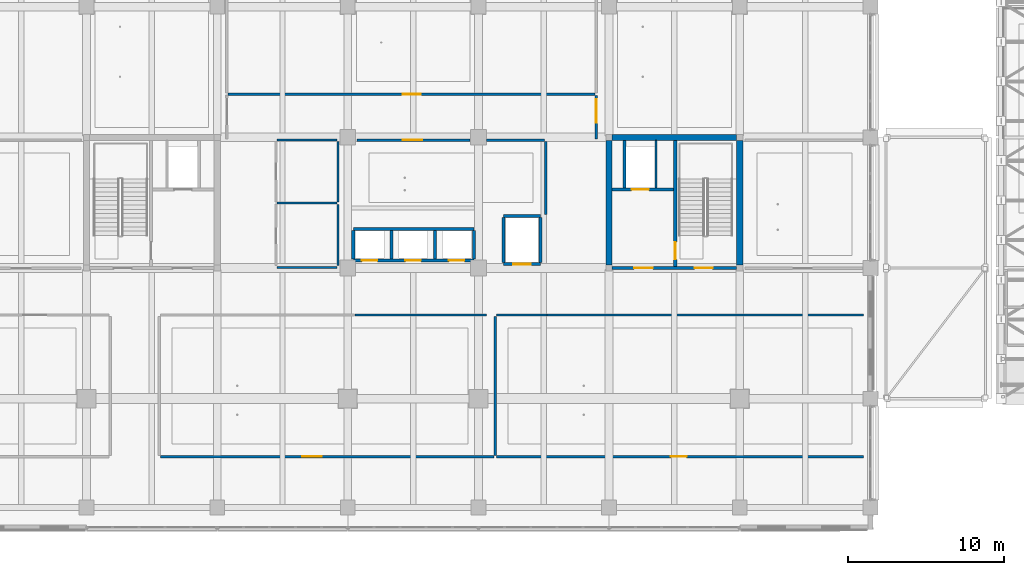
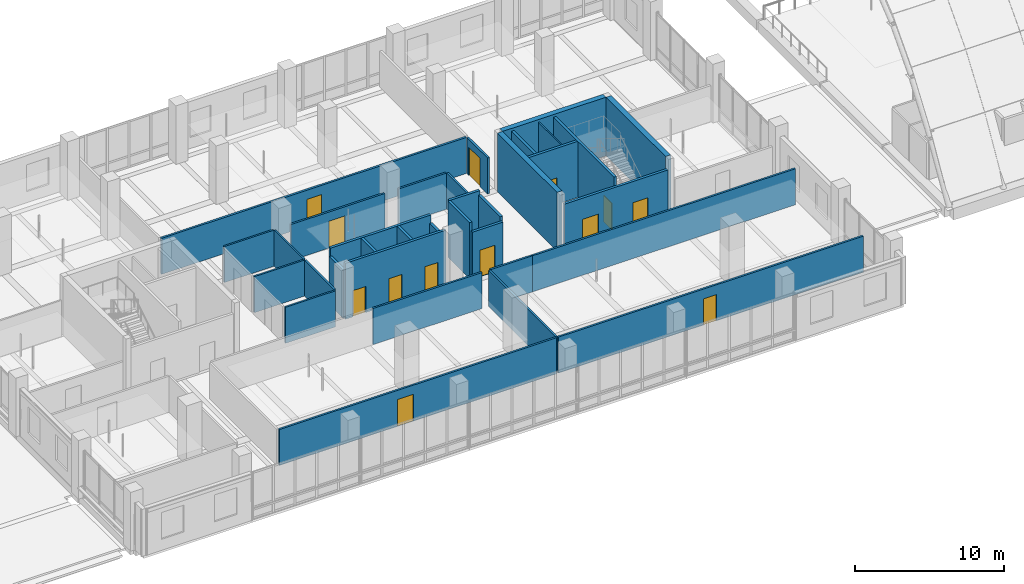
# One storey, part 55 of 128: 34 walls, 13 doors, 13 openings.
"""IFC4 building model written with IfcOpenShell, lengths in metres."""

from ifc_helpers import new_model, si_unit, direction, frame, frame_2d, origin, place, context, subcontext, project, spatial, rectangle, extrude, material, layer, layer_set, type_object, element, fill, save


model = new_model("IFC4")

# Units and contexts
model_context = context("Model", 3, precision=1e-05, world=origin(), true_north=direction((0.0, 1.0)))
body_context = subcontext(model_context, "Body", "Model", "MODEL_VIEW")
ifc_project = project(units=[si_unit("LENGTHUNIT", "METRE"), si_unit("AREAUNIT", "SQUARE_METRE"), si_unit("VOLUMEUNIT", "CUBIC_METRE"), si_unit("PLANEANGLEUNIT", "RADIAN"), si_unit("MASSUNIT", "GRAM", prefix="KILO")], contexts=[model_context])

# Site, building, storey
site_placement = place(None, origin())
site = spatial("IfcSite", under=ifc_project, at=site_placement, CompositionType="ELEMENT")
building_placement = place(site_placement, origin())
building = spatial("IfcBuilding", under=site, at=building_placement, Name="Telukmera Botanical Conservatory", CompositionType="ELEMENT")
storey_placement = place(building_placement, frame((0.0, 0.0, 5.39990234375)))
storey = spatial("IfcBuildingStorey", under=building, at=storey_placement, Name="L01", CompositionType="ELEMENT", Elevation=5.39990234375)

# Wall, openings, doors
ifc_material_1 = material(Name="Concrete C40/50", Category="concrete")
ifc_layer_1 = layer(ifc_material_1, 0.199951171875)
ifc_layer_set_1 = layer_set([ifc_layer_1], Name="Concrete C40/50")
wall_type_1 = type_object("IfcWallType", Name="WT-CORE-200", PredefinedType="SOLIDWALL", material=ifc_layer_set_1)
wall_1_placement = place(storey_placement, frame((92.60009765625, 26.0, 0.0), z_axis=(0.0, 0.0, 1.0), x_axis=(1.0, 0.0, 0.0)))
wall_1 = element("IfcWall", 1, at=wall_1_placement, inside=storey, type_object=wall_type_1, Name="L01 Core C2 South Fire Wall", PredefinedType="SOLIDWALL", context=body_context, shape_type="SweptSolid", body=[
    extrude(rectangle(XDim=8.0, YDim=0.199951171875, at=frame_2d((4.0, 0.0))), origin(), (0.0, 0.0, 1.0), 3.880126953125),
])
opening_1_placement = place(wall_1_placement, frame((1.39990234375, 0.0, 0.0)))
opening_1 = element("IfcOpeningElement", 2, at=opening_1_placement, cuts=wall_1, Name="Opening FD60C", PredefinedType="OPENING", context=body_context, shape_type="SweptSolid", body=[
    extrude(rectangle(XDim=1.219970703125, YDim=2.14990234375, at=frame_2d((0.60986328125, 1.074951171875))), frame((0.0, 0.10986328125, 0.0), z_axis=(0.0, -1.0, 0.0), x_axis=(1.0, 0.0, 0.0)), (0.0, 0.0, 1.0), 0.219970703125),
])
opening_2_placement = place(wall_1_placement, frame((5.300048828125, 0.0, 0.0)))
opening_2 = element("IfcOpeningElement", 3, at=opening_2_placement, cuts=wall_1, Name="Opening FD60A", PredefinedType="OPENING", context=body_context, shape_type="SweptSolid", body=[
    extrude(rectangle(XDim=1.14990234375, YDim=2.14990234375, at=frame_2d((0.574951171875, 1.074951171875))), frame((0.0, 0.10986328125, 0.0), z_axis=(0.0, -1.0, 0.0), x_axis=(1.0, 0.0, 0.0)), (0.0, 0.0, 1.0), 0.219970703125),
])
ifc_material_2 = material(Name="Hardwood fire door", Category="wood")
door_type_1 = type_object("IfcDoorType", Name="DT-FD60-01", OperationType="NOTDEFINED", PredefinedType="DOOR", material=ifc_material_2)
door_1_placement = place(opening_2_placement, origin())
door_1 = element("IfcDoor", 4, at=door_1_placement, inside=storey, type_object=door_type_1, Name="L01 Stair ST2 Escape Door", OperationType="SINGLE_SWING_RIGHT", OverallHeight=2.14990234375, OverallWidth=1.14990234375, PredefinedType="DOOR", context=body_context, shape_type="SweptSolid", body=[
    extrude(rectangle(XDim=1.14990234375, YDim=2.14990234375, at=frame_2d((0.574951171875, 1.074951171875))), frame((0.0, 0.02490234375, 0.0), z_axis=(0.0, -1.0, 0.0), x_axis=(1.0, 0.0, 0.0)), (0.0, 0.0, 1.0), 0.050048828125),
])
fill(opening_2, door_1)
door_type_2 = type_object("IfcDoorType", Name="DT-FD60-03", OperationType="NOTDEFINED", PredefinedType="DOOR", material=ifc_material_2)
door_2_placement = place(opening_1_placement, origin())
door_2 = element("IfcDoor", 5, at=door_2_placement, inside=storey, type_object=door_type_2, Name="L01 Firefighting Lobby C2 Door", OperationType="SINGLE_SWING_LEFT", OverallHeight=2.14990234375, OverallWidth=1.219970703125, PredefinedType="DOOR", context=body_context, shape_type="SweptSolid", body=[
    extrude(rectangle(XDim=1.219970703125, YDim=2.14990234375, at=frame_2d((0.60986328125, 1.074951171875))), frame((0.0, 0.02490234375, 0.0), z_axis=(0.0, -1.0, 0.0), x_axis=(1.0, 0.0, 0.0)), (0.0, 0.0, 1.0), 0.050048828125),
])
fill(opening_1, door_2)

# Wall, opening, door
wall_2_placement = place(storey_placement, frame((96.64990234375, 26.10009765625, 0.0), z_axis=(0.0, 0.0, 1.0), x_axis=(0.0, 1.0, 0.0)))
wall_2 = element("IfcWall", 6, at=wall_2_placement, inside=storey, type_object=wall_type_1, Name="L01 Core C2 Stair-Lobby Wall", PredefinedType="SOLIDWALL", context=body_context, shape_type="SweptSolid", body=[
    extrude(rectangle(XDim=8.099853515625, YDim=0.199951171875, at=frame_2d((4.0498046875, 0.0))), origin(), (0.0, 0.0, 1.0), 4.580078125),
])
opening_3_placement = place(wall_2_placement, frame((0.449951171875, 0.0, 0.0)))
opening_3 = element("IfcOpeningElement", 7, at=opening_3_placement, cuts=wall_2, Name="Opening FD60B", PredefinedType="OPENING", context=body_context, shape_type="SweptSolid", body=[
    extrude(rectangle(XDim=1.1201171875, YDim=2.14990234375, at=frame_2d((0.56005859375, 1.074951171875))), frame((0.0, 0.10986328125, 0.0), z_axis=(0.0, -1.0, 0.0), x_axis=(1.0, 0.0, 0.0)), (0.0, 0.0, 1.0), 0.219970703125),
])
door_type_3 = type_object("IfcDoorType", Name="DT-FD60-02", OperationType="NOTDEFINED", PredefinedType="DOOR", material=ifc_material_2)
door_3_placement = place(opening_3_placement, frame((1.1201171875, 0.0, 0.0), z_axis=(0.0, 0.0, 1.0), x_axis=(-1.0, 0.0, 0.0)))
door_3 = element("IfcDoor", 8, at=door_3_placement, inside=storey, type_object=door_type_3, Name="L01 Firefighting Lobby C2 to ST2 Door", OperationType="SINGLE_SWING_LEFT", OverallHeight=2.14990234375, OverallWidth=1.1201171875, PredefinedType="DOOR", context=body_context, shape_type="SweptSolid", body=[
    extrude(rectangle(XDim=1.1201171875, YDim=2.14990234375, at=frame_2d((0.56005859375, 1.074951171875))), frame((0.0, 0.02490234375, 0.0), z_axis=(0.0, -1.0, 0.0), x_axis=(1.0, 0.0, 0.0)), (0.0, 0.0, 1.0), 0.050048828125),
])
fill(opening_3, door_3)

wall_3_placement = place(storey_placement, frame((92.60009765625, 31.050048828125, 0.0), z_axis=(0.0, 0.0, 1.0), x_axis=(1.0, 0.0, 0.0)))
wall_3 = element("IfcWall", 9, at=wall_3_placement, inside=storey, type_object=wall_type_1, Name="L01 Fire Lift FL2 Shaft Front Wall", PredefinedType="SOLIDWALL", context=body_context, shape_type="SweptSolid", body=[
    extrude(rectangle(XDim=3.949951171875, YDim=0.199951171875, at=frame_2d((1.97509765625, 0.0))), origin(), (0.0, 0.0, 1.0), 4.580078125),
])
opening_4_placement = place(wall_3_placement, frame((1.25, 0.0, 0.0)))
opening_4 = element("IfcOpeningElement", 10, at=opening_4_placement, cuts=wall_3, Name="Opening LD01", PredefinedType="OPENING", context=body_context, shape_type="SweptSolid", body=[
    extrude(rectangle(XDim=1.10009765625, YDim=2.14990234375, at=frame_2d((0.550048828125, 1.074951171875))), frame((0.0, 0.10986328125, 0.0), z_axis=(0.0, -1.0, 0.0), x_axis=(1.0, 0.0, 0.0)), (0.0, 0.0, 1.0), 0.219970703125),
])
ifc_material_3 = material(Name="Stainless steel 316", Category="steel")
door_type_4 = type_object("IfcDoorType", Name="DT-LD01", OperationType="SLIDING_TO_LEFT", PredefinedType="DOOR", material=ifc_material_3)
door_4_placement = place(opening_4_placement, frame((1.10009765625, 0.0, 0.0), z_axis=(0.0, 0.0, 1.0), x_axis=(-1.0, 0.0, 0.0)))
door_4 = element("IfcDoor", 11, at=door_4_placement, inside=storey, type_object=door_type_4, Name="L01 Lift Landing Door FL2", OperationType="SLIDING_TO_LEFT", OverallHeight=2.14990234375, OverallWidth=1.10009765625, PredefinedType="DOOR", context=body_context, shape_type="SweptSolid", body=[
    extrude(rectangle(XDim=1.10009765625, YDim=2.14990234375, at=frame_2d((0.550048828125, 1.074951171875))), frame((0.0, 0.02490234375, 0.0), z_axis=(0.0, -1.0, 0.0), x_axis=(1.0, 0.0, 0.0)), (0.0, 0.0, 1.0), 0.050048828125),
])
fill(opening_4, door_4)

# Wall
wall_4_placement = place(storey_placement, frame((93.3798828125, 31.14990234375, 0.0), z_axis=(0.0, 0.0, 1.0), x_axis=(0.0, 1.0, 0.0)))
element("IfcWall", 12, at=wall_4_placement, inside=storey, type_object=wall_type_1, Name="L01 Fire Lift FL2 Shaft West Wall", PredefinedType="SOLIDWALL", context=body_context, shape_type="SweptSolid", body=[
    extrude(rectangle(XDim=3.050048828125, YDim=0.199951171875, at=frame_2d((1.52490234375, 0.0))), origin(), (0.0, 0.0, 1.0), 4.580078125),
])

# Wall, openings, doors
wall_5_placement = place(storey_placement, frame((75.949951171875, 26.47998046875, 0.0), z_axis=(0.0, 0.0, 1.0), x_axis=(1.0, 0.0, 0.0)))
wall_5 = element("IfcWall", 13, at=wall_5_placement, inside=storey, type_object=wall_type_1, Name="L01 Passenger Lift Bank Front Wall", PredefinedType="SOLIDWALL", context=body_context, shape_type="SweptSolid", body=[
    extrude(rectangle(XDim=7.77001953125, YDim=0.199951171875, at=frame_2d((3.885009765625, 0.0))), origin(), (0.0, 0.0, 1.0), 4.580078125),
])
opening_5_placement = place(wall_5_placement, frame((0.550048828125, 0.0, 0.0)))
opening_5 = element("IfcOpeningElement", 14, at=opening_5_placement, cuts=wall_5, Name="Opening LD03", PredefinedType="OPENING", context=body_context, shape_type="SweptSolid", body=[
    extrude(rectangle(XDim=1.0, YDim=2.14990234375, at=frame_2d((0.5, 1.074951171875))), frame((0.0, 0.10986328125, 0.0), z_axis=(0.0, -1.0, 0.0), x_axis=(1.0, 0.0, 0.0)), (0.0, 0.0, 1.0), 0.219970703125),
])
opening_6_placement = place(wall_5_placement, frame((3.35009765625, 0.0, 0.0)))
opening_6 = element("IfcOpeningElement", 15, at=opening_6_placement, cuts=wall_5, Name="Opening LD03", PredefinedType="OPENING", context=body_context, shape_type="SweptSolid", body=[
    extrude(rectangle(XDim=1.0, YDim=2.14990234375, at=frame_2d((0.5, 1.074951171875))), frame((0.0, 0.10986328125, 0.0), z_axis=(0.0, -1.0, 0.0), x_axis=(1.0, 0.0, 0.0)), (0.0, 0.0, 1.0), 0.219970703125),
])
opening_7_placement = place(wall_5_placement, frame((6.14990234375, 0.0, 0.0)))
opening_7 = element("IfcOpeningElement", 16, at=opening_7_placement, cuts=wall_5, Name="Opening LD03", PredefinedType="OPENING", context=body_context, shape_type="SweptSolid", body=[
    extrude(rectangle(XDim=1.0, YDim=2.14990234375, at=frame_2d((0.5, 1.074951171875))), frame((0.0, 0.10986328125, 0.0), z_axis=(0.0, -1.0, 0.0), x_axis=(1.0, 0.0, 0.0)), (0.0, 0.0, 1.0), 0.219970703125),
])
door_type_5 = type_object("IfcDoorType", Name="DT-LD03", OperationType="SLIDING_TO_LEFT", PredefinedType="DOOR", material=ifc_material_3)
door_5_placement = place(opening_5_placement, frame((1.0, 0.0, 0.0), z_axis=(0.0, 0.0, 1.0), x_axis=(-1.0, 0.0, 0.0)))
door_5 = element("IfcDoor", 17, at=door_5_placement, inside=storey, type_object=door_type_5, Name="L01 Lift Landing Door PL1", OperationType="SLIDING_TO_LEFT", OverallHeight=2.14990234375, OverallWidth=1.0, PredefinedType="DOOR", context=body_context, shape_type="SweptSolid", body=[
    extrude(rectangle(XDim=1.0, YDim=2.14990234375, at=frame_2d((0.5, 1.074951171875))), frame((0.0, 0.02490234375, 0.0), z_axis=(0.0, -1.0, 0.0), x_axis=(1.0, 0.0, 0.0)), (0.0, 0.0, 1.0), 0.050048828125),
])
fill(opening_5, door_5)
door_6_placement = place(opening_6_placement, frame((1.0, 0.0, 0.0), z_axis=(0.0, 0.0, 1.0), x_axis=(-1.0, 0.0, 0.0)))
door_6 = element("IfcDoor", 18, at=door_6_placement, inside=storey, type_object=door_type_5, Name="L01 Lift Landing Door PL2", OperationType="SLIDING_TO_LEFT", OverallHeight=2.14990234375, OverallWidth=1.0, PredefinedType="DOOR", context=body_context, shape_type="SweptSolid", body=[
    extrude(rectangle(XDim=1.0, YDim=2.14990234375, at=frame_2d((0.5, 1.074951171875))), frame((0.0, 0.02490234375, 0.0), z_axis=(0.0, -1.0, 0.0), x_axis=(1.0, 0.0, 0.0)), (0.0, 0.0, 1.0), 0.050048828125),
])
fill(opening_6, door_6)
door_7_placement = place(opening_7_placement, frame((1.0, 0.0, 0.0), z_axis=(0.0, 0.0, 1.0), x_axis=(-1.0, 0.0, 0.0)))
door_7 = element("IfcDoor", 19, at=door_7_placement, inside=storey, type_object=door_type_5, Name="L01 Lift Landing Door PL3", OperationType="SLIDING_TO_LEFT", OverallHeight=2.14990234375, OverallWidth=1.0, PredefinedType="DOOR", context=body_context, shape_type="SweptSolid", body=[
    extrude(rectangle(XDim=1.0, YDim=2.14990234375, at=frame_2d((0.5, 1.074951171875))), frame((0.0, 0.02490234375, 0.0), z_axis=(0.0, -1.0, 0.0), x_axis=(1.0, 0.0, 0.0)), (0.0, 0.0, 1.0), 0.050048828125),
])
fill(opening_7, door_7)

# Walls
wall_6_placement = place(storey_placement, frame((75.949951171875, 28.52001953125, 0.0), z_axis=(0.0, 0.0, 1.0), x_axis=(1.0, 0.0, 0.0)))
element("IfcWall", 20, at=wall_6_placement, inside=storey, type_object=wall_type_1, Name="L01 Passenger Lift Bank Rear Wall", PredefinedType="SOLIDWALL", context=body_context, shape_type="SweptSolid", body=[
    extrude(rectangle(XDim=7.77001953125, YDim=0.199951171875, at=frame_2d((3.885009765625, 0.0))), origin(), (0.0, 0.0, 1.0), 4.580078125),
])
wall_7_placement = place(storey_placement, frame((75.949951171875, 26.580078125, 0.0), z_axis=(0.0, 0.0, 1.0), x_axis=(0.0, 1.0, 0.0)))
element("IfcWall", 21, at=wall_7_placement, inside=storey, type_object=wall_type_1, Name="L01 Passenger Lift Shaft Wall 1", PredefinedType="SOLIDWALL", context=body_context, shape_type="SweptSolid", body=[
    extrude(rectangle(XDim=1.83984375, YDim=0.199951171875, at=frame_2d((0.919921875, 0.0))), origin(), (0.0, 0.0, 1.0), 3.93017578125),
])
for number, where, z_axis, x_axis, name in (
    (22, (78.39990234375, 26.580078125, 0.0), (0.0, 0.0, 1.0), (0.0, 1.0, 0.0), "L01 Passenger Lift Shaft Wall 2"),
    (23, (81.199951171875, 26.580078125, 0.0), (0.0, 0.0, 1.0), (0.0, 1.0, 0.0), "L01 Passenger Lift Shaft Wall 3"),
):
    element("IfcWall", number, at=place(storey_placement, frame(where, z_axis=z_axis, x_axis=x_axis)), inside=storey, type_object=wall_type_1, Name=name, PredefinedType="SOLIDWALL", context=body_context, shape_type="SweptSolid", body=[
        extrude(rectangle(XDim=1.83984375, YDim=0.199951171875, at=frame_2d((0.919921875, 0.0))), origin(), (0.0, 0.0, 1.0), 4.580078125),
    ])
wall_8_placement = place(storey_placement, frame((83.719970703125, 26.580078125, 0.0), z_axis=(0.0, 0.0, 1.0), x_axis=(0.0, 1.0, 0.0)))
element("IfcWall", 24, at=wall_8_placement, inside=storey, type_object=wall_type_1, Name="L01 Passenger Lift Shaft Wall 4", PredefinedType="SOLIDWALL", context=body_context, shape_type="SweptSolid", body=[
    extrude(rectangle(XDim=1.83984375, YDim=0.199951171875, at=frame_2d((0.919921875, 0.0))), origin(), (0.0, 0.0, 1.0), 3.93017578125),
])

# Wall, opening, door
wall_9_placement = place(storey_placement, frame((85.6201171875, 26.25, 0.0), z_axis=(0.0, 0.0, 1.0), x_axis=(1.0, 0.0, 0.0)))
wall_9 = element("IfcWall", 25, at=wall_9_placement, inside=storey, type_object=wall_type_1, Name="L01 Goods Lift GL1 Front Wall", PredefinedType="SOLIDWALL", context=body_context, shape_type="SweptSolid", body=[
    extrude(rectangle(XDim=2.35986328125, YDim=0.199951171875, at=frame_2d((1.179931640625, 0.0))), origin(), (0.0, 0.0, 1.0), 3.880126953125),
])
opening_8_placement = place(wall_9_placement, frame((0.60498046875, 0.0, 0.0)))
opening_8 = element("IfcOpeningElement", 26, at=opening_8_placement, cuts=wall_9, Name="Opening LD02", PredefinedType="OPENING", context=body_context, shape_type="SweptSolid", body=[
    extrude(rectangle(XDim=1.14990234375, YDim=2.199951171875, at=frame_2d((0.574951171875, 1.10009765625))), frame((0.0, 0.10986328125, 0.0), z_axis=(0.0, -1.0, 0.0), x_axis=(1.0, 0.0, 0.0)), (0.0, 0.0, 1.0), 0.219970703125),
])
door_type_6 = type_object("IfcDoorType", Name="DT-LD02", OperationType="SLIDING_TO_LEFT", PredefinedType="DOOR", material=ifc_material_3)
door_8_placement = place(opening_8_placement, frame((1.14990234375, 0.0, 0.0), z_axis=(0.0, 0.0, 1.0), x_axis=(-1.0, 0.0, 0.0)))
door_8 = element("IfcDoor", 27, at=door_8_placement, inside=storey, type_object=door_type_6, Name="L01 Lift Landing Door GL1", OperationType="SLIDING_TO_LEFT", OverallHeight=2.199951171875, OverallWidth=1.14990234375, PredefinedType="DOOR", context=body_context, shape_type="SweptSolid", body=[
    extrude(rectangle(XDim=1.14990234375, YDim=2.199951171875, at=frame_2d((0.574951171875, 1.10009765625))), frame((0.0, 0.02490234375, 0.0), z_axis=(0.0, -1.0, 0.0), x_axis=(1.0, 0.0, 0.0)), (0.0, 0.0, 1.0), 0.050048828125),
])
fill(opening_8, door_8)

# Walls
wall_10_placement = place(storey_placement, frame((85.6201171875, 29.35009765625, 0.0), z_axis=(0.0, 0.0, 1.0), x_axis=(1.0, 0.0, 0.0)))
element("IfcWall", 28, at=wall_10_placement, inside=storey, type_object=wall_type_1, Name="L01 Goods Lift GL1 Rear Wall", PredefinedType="SOLIDWALL", context=body_context, shape_type="SweptSolid", body=[
    extrude(rectangle(XDim=2.35986328125, YDim=0.199951171875, at=frame_2d((1.179931640625, 0.0))), origin(), (0.0, 0.0, 1.0), 4.580078125),
])
wall_11_placement = place(storey_placement, frame((85.6201171875, 26.35009765625, 0.0), z_axis=(0.0, 0.0, 1.0), x_axis=(0.0, 1.0, 0.0)))
element("IfcWall", 29, at=wall_11_placement, inside=storey, type_object=wall_type_1, Name="L01 Goods Lift GL1 Side Wall 1", PredefinedType="SOLIDWALL", context=body_context, shape_type="SweptSolid", body=[
    extrude(rectangle(XDim=2.89990234375, YDim=0.199951171875, at=frame_2d((1.449951171875, 0.0))), origin(), (0.0, 0.0, 1.0), 4.580078125),
])
wall_12_placement = place(storey_placement, frame((87.97998046875, 26.35009765625, 0.0), z_axis=(0.0, 0.0, 1.0), x_axis=(0.0, 1.0, 0.0)))
element("IfcWall", 30, at=wall_12_placement, inside=storey, type_object=wall_type_1, Name="L01 Goods Lift GL1 Side Wall 2", PredefinedType="SOLIDWALL", context=body_context, shape_type="SweptSolid", body=[
    extrude(rectangle(XDim=2.89990234375, YDim=0.199951171875, at=frame_2d((1.449951171875, 0.0))), origin(), (0.0, 0.0, 1.0), 4.22998046875),
])

# Wall, opening, door
ifc_material_4 = material(Name="Gypsum acoustic stud partition")
ifc_layer_2 = layer(ifc_material_4, 0.159912109375)
ifc_layer_set_2 = layer_set([ifc_layer_2], Name="Gypsum acoustic stud partition")
wall_type_2 = type_object("IfcWallType", Name="WT-LAB-160", PredefinedType="PARTITIONING", material=ifc_layer_set_2)
wall_13_placement = place(storey_placement, frame((67.89990234375, 37.175048828125, 0.0), z_axis=(0.0, 0.0, 1.0), x_axis=(1.0, 0.0, 0.0)))
wall_13 = element("IfcWall", 31, at=wall_13_placement, inside=storey, type_object=wall_type_2, Name="L01 Interior Partition 61", PredefinedType="PARTITIONING", context=body_context, shape_type="SweptSolid", body=[
    extrude(rectangle(XDim=23.60009765625, YDim=0.159912109375, at=frame_2d((11.800048828125, 0.0))), origin(), (0.0, 0.0, 1.0), 2.9501953125),
])
opening_9_placement = place(wall_13_placement, frame((11.219970703125, 0.0, 0.0)))
opening_9 = element("IfcOpeningElement", 32, at=opening_9_placement, cuts=wall_13, Name="Opening ID09", PredefinedType="OPENING", context=body_context, shape_type="SweptSolid", body=[
    extrude(rectangle(XDim=1.159912109375, YDim=2.199951171875, at=frame_2d((0.580078125, 1.10009765625))), frame((0.0, 0.08984375, 0.0), z_axis=(0.0, -1.0, 0.0), x_axis=(1.0, 0.0, 0.0)), (0.0, 0.0, 1.0), 0.179931640625),
])
ifc_material_5 = material(Name="Phenolic faced laboratory fire door")
door_type_7 = type_object("IfcDoorType", Name="DT-LAB-116", OperationType="NOTDEFINED", PredefinedType="DOOR", material=ifc_material_5)
door_9_placement = place(opening_9_placement, origin())
door_9 = element("IfcDoor", 33, at=door_9_placement, inside=storey, type_object=door_type_7, Name="L01 Digital Floristics Laboratory Door", OperationType="SINGLE_SWING_RIGHT", OverallHeight=2.199951171875, OverallWidth=1.159912109375, PredefinedType="DOOR", context=body_context, shape_type="SweptSolid", body=[
    extrude(rectangle(XDim=1.159912109375, YDim=2.199951171875, at=frame_2d((0.580078125, 1.10009765625))), frame((0.0, 0.02490234375, 0.0), z_axis=(0.0, -1.0, 0.0), x_axis=(1.0, 0.0, 0.0)), (0.0, 0.0, 1.0), 0.050048828125),
])
fill(opening_9, door_9)

# Walls
ifc_material_6 = material(Name="Gypsum shaftwall liner")
ifc_layer_3 = layer(ifc_material_6, 0.110107421875)
ifc_layer_set_3 = layer_set([ifc_layer_3], Name="Gypsum shaftwall liner")
wall_type_3 = type_object("IfcWallType", Name="WT-RISER-110", PredefinedType="PARTITIONING", material=ifc_layer_set_3)
wall_14_placement = place(storey_placement, frame((95.419921875, 31.14990234375, 0.0), z_axis=(0.0, 0.0, 1.0), x_axis=(0.0, 1.0, 0.0)))
element("IfcWall", 34, at=wall_14_placement, inside=storey, type_object=wall_type_3, Name="L01 Wet Riser C2 Shaft Wall", PredefinedType="PARTITIONING", context=body_context, shape_type="SweptSolid", body=[
    extrude(rectangle(XDim=3.050048828125, YDim=0.110107421875, at=frame_2d((1.52490234375, 0.0))), origin(), (0.0, 0.0, 1.0), 4.580078125),
])
ifc_layer_4 = layer(ifc_material_4, 0.14990234375)
ifc_layer_set_4 = layer_set([ifc_layer_4], Name="Gypsum acoustic stud partition")
wall_type_4 = type_object("IfcWallType", Name="WT-STD-150", PredefinedType="PARTITIONING", material=ifc_layer_set_4)
wall_15_placement = place(storey_placement, frame((88.324951171875, 29.449951171875, 0.0), z_axis=(0.0, 0.0, 1.0), x_axis=(0.0, 1.0, 0.0)))
element("IfcWall", 35, at=wall_15_placement, inside=storey, type_object=wall_type_4, Name="L01 Interior Partition 42", PredefinedType="PARTITIONING", context=body_context, shape_type="SweptSolid", body=[
    extrude(rectangle(XDim=4.699951171875, YDim=0.14990234375, at=frame_2d((2.35009765625, 0.0))), origin(), (0.0, 0.0, 1.0), 2.9501953125),
])

# Wall, opening, door
wall_16_placement = place(storey_placement, frame((76.199951171875, 34.22509765625, 0.0), z_axis=(0.0, 0.0, 1.0), x_axis=(1.0, 0.0, 0.0)))
wall_16 = element("IfcWall", 36, at=wall_16_placement, inside=storey, type_object=wall_type_4, Name="L01 Interior Partition 43", PredefinedType="PARTITIONING", context=body_context, shape_type="SweptSolid", body=[
    extrude(rectangle(XDim=7.27001953125, YDim=0.14990234375, at=frame_2d((3.635009765625, 0.0))), origin(), (0.0, 0.0, 1.0), 2.9501953125),
])
opening_10_placement = place(wall_16_placement, frame((2.940185546875, 0.0, 0.0)))
opening_10 = element("IfcOpeningElement", 37, at=opening_10_placement, cuts=wall_16, Name="Opening ID08", PredefinedType="OPENING", context=body_context, shape_type="SweptSolid", body=[
    extrude(rectangle(XDim=1.239990234375, YDim=2.199951171875, at=frame_2d((0.6201171875, 1.10009765625))), frame((0.0, 0.0849609375, 0.0), z_axis=(0.0, -1.0, 0.0), x_axis=(1.0, 0.0, 0.0)), (0.0, 0.0, 1.0), 0.169921875),
])
ifc_material_7 = material(Name="Solid core hardwood classroom door", Category="wood")
door_type_8 = type_object("IfcDoorType", Name="DT-CLS-124", OperationType="NOTDEFINED", PredefinedType="DOOR", material=ifc_material_7)
door_10_placement = place(opening_10_placement, frame((1.239990234375, 0.0, 0.0), z_axis=(0.0, 0.0, 1.0), x_axis=(-1.0, 0.0, 0.0)))
door_10 = element("IfcDoor", 38, at=door_10_placement, inside=storey, type_object=door_type_8, Name="L01 Rare Botanical Folio Room Door", OperationType="SINGLE_SWING_LEFT", OverallHeight=2.199951171875, OverallWidth=1.239990234375, PredefinedType="DOOR", context=body_context, shape_type="SweptSolid", body=[
    extrude(rectangle(XDim=1.239990234375, YDim=2.199951171875, at=frame_2d((0.6201171875, 1.10009765625))), frame((0.0, 0.02490234375, 0.0), z_axis=(0.0, -1.0, 0.0), x_axis=(1.0, 0.0, 0.0)), (0.0, 0.0, 1.0), 0.050048828125),
])
fill(opening_10, door_10)

# Walls
wall_17_placement = place(storey_placement, frame((84.530029296875, 34.22509765625, 0.0), z_axis=(0.0, 0.0, 1.0), x_axis=(1.0, 0.0, 0.0)))
element("IfcWall", 39, at=wall_17_placement, inside=storey, type_object=wall_type_4, Name="L01 Interior Partition 44", PredefinedType="PARTITIONING", context=body_context, shape_type="SweptSolid", body=[
    extrude(rectangle(XDim=3.7099609375, YDim=0.14990234375, at=frame_2d((1.85498046875, 0.0))), origin(), (0.0, 0.0, 1.0), 2.9501953125),
])
wall_18_placement = place(storey_placement, frame((76.050048828125, 22.97509765625, 0.0), z_axis=(0.0, 0.0, 1.0), x_axis=(1.0, 0.0, 0.0)))
element("IfcWall", 40, at=wall_18_placement, inside=storey, type_object=wall_type_4, Name="L01 Interior Partition 49", PredefinedType="PARTITIONING", context=body_context, shape_type="SweptSolid", body=[
    extrude(rectangle(XDim=8.449951171875, YDim=0.14990234375, at=frame_2d((4.22509765625, 0.0))), origin(), (0.0, 0.0, 1.0), 2.9501953125),
])
wall_19_placement = place(storey_placement, frame((85.14990234375, 22.97509765625, 0.0), z_axis=(0.0, 0.0, 1.0), x_axis=(1.0, 0.0, 0.0)))
element("IfcWall", 41, at=wall_19_placement, inside=storey, type_object=wall_type_4, Name="L01 Interior Partition 50", PredefinedType="PARTITIONING", context=body_context, shape_type="SweptSolid", body=[
    extrude(rectangle(XDim=3.25, YDim=0.14990234375, at=frame_2d((1.625, 0.0))), origin(), (0.0, 0.0, 1.0), 2.9501953125),
])
wall_20_placement = place(storey_placement, frame((88.409912109375, 22.97509765625, 0.0), z_axis=(0.0, 0.0, 1.0), x_axis=(1.0, 0.0, 0.0)))
element("IfcWall", 42, at=wall_20_placement, inside=storey, type_object=wall_type_4, Name="L01 Interior Partition 53", PredefinedType="PARTITIONING", context=body_context, shape_type="SweptSolid", body=[
    extrude(rectangle(XDim=20.340087890625, YDim=0.14990234375, at=frame_2d((10.169921875, 0.0))), origin(), (0.0, 0.0, 1.0), 2.9501953125),
])

# Wall, opening, door
wall_21_placement = place(storey_placement, frame((63.56005859375, 13.875, 0.0), z_axis=(0.0, 0.0, 1.0), x_axis=(1.0, 0.0, 0.0)))
wall_21 = element("IfcWall", 43, at=wall_21_placement, inside=storey, type_object=wall_type_4, Name="L01 Interior Partition 57", PredefinedType="PARTITIONING", context=body_context, shape_type="SweptSolid", body=[
    extrude(rectangle(XDim=21.43994140625, YDim=0.14990234375, at=frame_2d((10.719970703125, 0.0))), origin(), (0.0, 0.0, 1.0), 2.9501953125),
])
opening_11_placement = place(wall_21_placement, frame((9.12255859375, 0.0, 0.0)))
opening_11 = element("IfcOpeningElement", 44, at=opening_11_placement, cuts=wall_21, Name="Opening ID08", PredefinedType="OPENING", context=body_context, shape_type="SweptSolid", body=[
    extrude(rectangle(XDim=1.239990234375, YDim=2.199951171875, at=frame_2d((0.6201171875, 1.10009765625))), frame((0.0, 0.0849609375, 0.0), z_axis=(0.0, -1.0, 0.0), x_axis=(1.0, 0.0, 0.0)), (0.0, 0.0, 1.0), 0.169921875),
])
door_11_placement = place(opening_11_placement, origin())
door_11 = element("IfcDoor", 45, at=door_11_placement, inside=storey, type_object=door_type_8, Name="L01 Rare Flora Reading Room Door", OperationType="SINGLE_SWING_LEFT", OverallHeight=2.199951171875, OverallWidth=1.239990234375, PredefinedType="DOOR", context=body_context, shape_type="SweptSolid", body=[
    extrude(rectangle(XDim=1.239990234375, YDim=2.199951171875, at=frame_2d((0.6201171875, 1.10009765625))), frame((0.0, 0.02490234375, 0.0), z_axis=(0.0, -1.0, 0.0), x_axis=(1.0, 0.0, 0.0)), (0.0, 0.0, 1.0), 0.050048828125),
])
fill(opening_11, door_11)

wall_22_placement = place(storey_placement, frame((85.14990234375, 13.875, 0.0), z_axis=(0.0, 0.0, 1.0), x_axis=(1.0, 0.0, 0.0)))
wall_22 = element("IfcWall", 46, at=wall_22_placement, inside=storey, type_object=wall_type_4, Name="L01 Interior Partition 58", PredefinedType="PARTITIONING", context=body_context, shape_type="SweptSolid", body=[
    extrude(rectangle(XDim=23.60009765625, YDim=0.14990234375, at=frame_2d((11.800048828125, 0.0))), origin(), (0.0, 0.0, 1.0), 2.9501953125),
])
opening_12_placement = place(wall_22_placement, frame((11.224853515625, 0.0, 0.0)))
opening_12 = element("IfcOpeningElement", 47, at=opening_12_placement, cuts=wall_22, Name="Opening ID14", PredefinedType="OPENING", context=body_context, shape_type="SweptSolid", body=[
    extrude(rectangle(XDim=1.0, YDim=2.14990234375, at=frame_2d((0.5, 1.074951171875))), frame((0.0, 0.0849609375, 0.0), z_axis=(0.0, -1.0, 0.0), x_axis=(1.0, 0.0, 0.0)), (0.0, 0.0, 1.0), 0.169921875),
])
ifc_material_8 = material(Name="Acoustic timber office door", Category="wood")
door_type_9 = type_object("IfcDoorType", Name="DT-WRT-100", OperationType="NOTDEFINED", PredefinedType="DOOR", material=ifc_material_8)
door_12_placement = place(opening_12_placement, origin())
door_12 = element("IfcDoor", 48, at=door_12_placement, inside=storey, type_object=door_type_9, Name="L01 Floristic Archive Reading Studio Door", OperationType="SINGLE_SWING_RIGHT", OverallHeight=2.14990234375, OverallWidth=1.0, PredefinedType="DOOR", context=body_context, shape_type="SweptSolid", body=[
    extrude(rectangle(XDim=1.0, YDim=2.14990234375, at=frame_2d((0.5, 1.074951171875))), frame((0.0, 0.02490234375, 0.0), z_axis=(0.0, -1.0, 0.0), x_axis=(1.0, 0.0, 0.0)), (0.0, 0.0, 1.0), 0.050048828125),
])
fill(opening_12, door_12)

# Wall
wall_23_placement = place(storey_placement, frame((85.074951171875, 13.9599609375, 0.0), z_axis=(0.0, 0.0, 1.0), x_axis=(0.0, 1.0, 0.0)))
element("IfcWall", 49, at=wall_23_placement, inside=storey, type_object=wall_type_4, Name="L01 Interior Partition 59", PredefinedType="PARTITIONING", context=body_context, shape_type="SweptSolid", body=[
    extrude(rectangle(XDim=8.929931640625, YDim=0.14990234375, at=frame_2d((4.46484375, 0.0))), origin(), (0.0, 0.0, 1.0), 2.9501953125),
])

# Wall, opening, door
wall_24_placement = place(storey_placement, frame((91.574951171875, 34.300048828125, 0.0), z_axis=(0.0, 0.0, 1.0), x_axis=(0.0, 1.0, 0.0)))
wall_24 = element("IfcWall", 50, at=wall_24_placement, inside=storey, type_object=wall_type_4, Name="L01 Interior Partition 62", PredefinedType="PARTITIONING", context=body_context, shape_type="SweptSolid", body=[
    extrude(rectangle(XDim=2.784912109375, YDim=0.14990234375, at=frame_2d((1.392578125, 0.0))), origin(), (0.0, 0.0, 1.0), 2.9501953125),
])
opening_13_placement = place(wall_24_placement, frame((1.034912109375, 0.0, 0.0)))
opening_13 = element("IfcOpeningElement", 51, at=opening_13_placement, cuts=wall_24, Name="Opening ID04", PredefinedType="OPENING", context=body_context, shape_type="SweptSolid", body=[
    extrude(rectangle(XDim=1.5, YDim=2.300048828125, at=frame_2d((0.75, 1.14990234375))), frame((0.0, 0.0849609375, 0.0), z_axis=(0.0, -1.0, 0.0), x_axis=(1.0, 0.0, 0.0)), (0.0, 0.0, 1.0), 0.169921875),
])
ifc_material_9 = material(Name="Teak framed acoustic glazed door")
door_type_10 = type_object("IfcDoorType", Name="DT-LIB-150", OperationType="NOTDEFINED", PredefinedType="DOOR", material=ifc_material_9)
door_13_placement = place(opening_13_placement, frame((1.5, 0.0, 0.0), z_axis=(0.0, 0.0, 1.0), x_axis=(-1.0, 0.0, 0.0)))
door_13 = element("IfcDoor", 52, at=door_13_placement, inside=storey, type_object=door_type_10, Name="L01 Library Conservation Studio Door", OperationType="SINGLE_SWING_LEFT", OverallHeight=2.300048828125, OverallWidth=1.5, PredefinedType="DOOR", context=body_context, shape_type="SweptSolid", body=[
    extrude(rectangle(XDim=1.5, YDim=2.300048828125, at=frame_2d((0.75, 1.14990234375))), frame((0.0, 0.02490234375, 0.0), z_axis=(0.0, -1.0, 0.0), x_axis=(1.0, 0.0, 0.0)), (0.0, 0.0, 1.0), 0.050048828125),
])
fill(opening_13, door_13)

# Walls
ifc_material_10 = material(Name="Moisture-resistant blockwork", Category="masonry")
ifc_layer_5 = layer(ifc_material_10, 0.135009765625)
ifc_layer_set_5 = layer_set([ifc_layer_5], Name="Moisture-resistant blockwork")
wall_type_5 = type_object("IfcWallType", Name="WT-WC-135", PredefinedType="PARTITIONING", material=ifc_layer_set_5)
for number, where, z_axis, x_axis, name in (
    (53, (71.050048828125, 30.175048828125, 0.0), (0.0, 0.0, 1.0), (1.0, 0.0, 0.0), "L01 Interior Partition 39"),
    (54, (71.050048828125, 26.02490234375, 0.0), (0.0, 0.0, 1.0), (1.0, 0.0, 0.0), "L01 Interior Partition 40"),
    (55, (71.050048828125, 34.22509765625, 0.0), (0.0, 0.0, 1.0), (1.0, 0.0, 0.0), "L01 Interior Partition 41"),
):
    element("IfcWall", number, at=place(storey_placement, frame(where, z_axis=z_axis, x_axis=x_axis)), inside=storey, type_object=wall_type_5, Name=name, PredefinedType="PARTITIONING", context=body_context, shape_type="SweptSolid", body=[
        extrude(rectangle(XDim=3.849853515625, YDim=0.135009765625, at=frame_2d((1.9248046875, 0.0))), origin(), (0.0, 0.0, 1.0), 2.9501953125),
    ])
wall_25_placement = place(storey_placement, frame((74.967529296875, 26.14990234375, 0.0), z_axis=(0.0, 0.0, 1.0), x_axis=(0.0, 1.0, 0.0)))
element("IfcWall", 56, at=wall_25_placement, inside=storey, type_object=wall_type_5, Name="L01 WC Enclosure Partition 11", PredefinedType="PARTITIONING", context=body_context, shape_type="SweptSolid", body=[
    extrude(rectangle(XDim=3.947509765625, YDim=0.135009765625, at=frame_2d((1.9736328125, 0.0))), origin(), (0.0, 0.0, 1.0), 2.9501953125),
])
wall_26_placement = place(storey_placement, frame((74.967529296875, 30.25244140625, 0.0), z_axis=(0.0, 0.0, 1.0), x_axis=(0.0, 1.0, 0.0)))
element("IfcWall", 57, at=wall_26_placement, inside=storey, type_object=wall_type_5, Name="L01 WC Enclosure Partition 12", PredefinedType="PARTITIONING", context=body_context, shape_type="SweptSolid", body=[
    extrude(rectangle(XDim=3.89501953125, YDim=0.135009765625, at=frame_2d((1.947509765625, 0.0))), origin(), (0.0, 0.0, 1.0), 2.9501953125),
])
ifc_material_11 = material(Name="Concrete C50/60", Category="concrete")
ifc_layer_6 = layer(ifc_material_11, 0.39990234375)
ifc_layer_set_6 = layer_set([ifc_layer_6], Name="Concrete C50/60")
wall_type_6 = type_object("IfcWallType", Name="Wall_CW1", PredefinedType="SHEAR", material=ifc_layer_set_6)
for number, where, z_axis, x_axis, name in (
    (58, (92.39990234375, 26.199951171875, 0.0), (0.0, 0.0, 1.0), (0.0, 1.0, 0.0), "Core C2 Shear Wall West L01"),
    (59, (100.800048828125, 26.199951171875, 0.0), (0.0, 0.0, 1.0), (0.0, 1.0, 0.0), "Core C2 Shear Wall East L01"),
    (60, (92.60009765625, 34.39990234375, 0.0), (0.0, 0.0, 1.0), (1.0, 0.0, 0.0), "Core C2 Shear Wall North L01"),
):
    element("IfcWall", number, at=place(storey_placement, frame(where, z_axis=z_axis, x_axis=x_axis)), inside=storey, type_object=wall_type_6, Name=name, PredefinedType="SHEAR", context=body_context, shape_type="SweptSolid", body=[
        extrude(rectangle(XDim=8.0, YDim=0.39990234375, at=frame_2d((4.0, 0.0))), origin(), (0.0, 0.0, 1.0), 4.800048828125),
    ])

save(model, "model.ifc")
